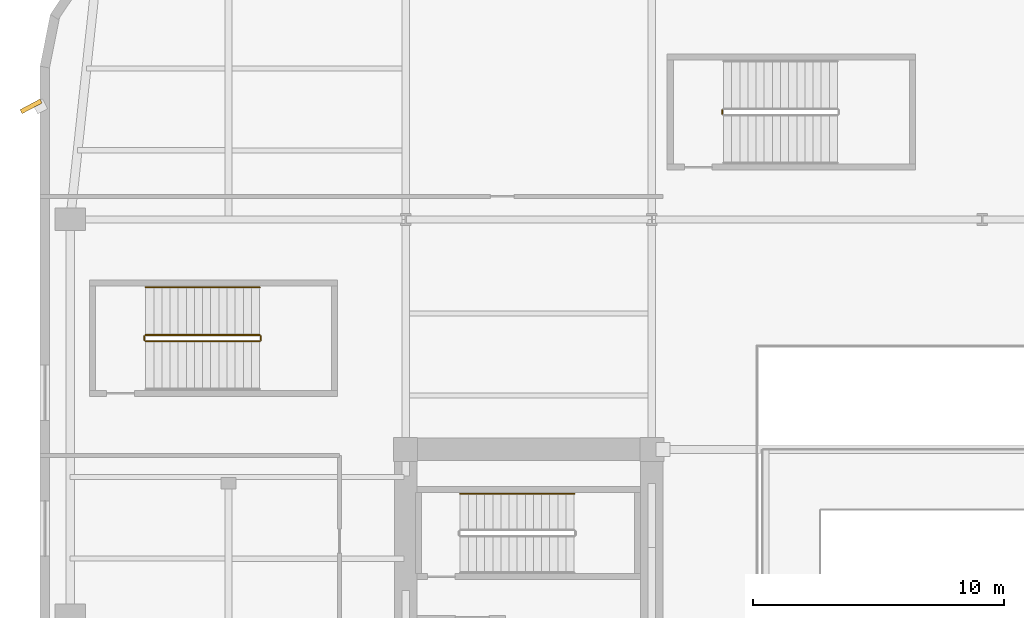
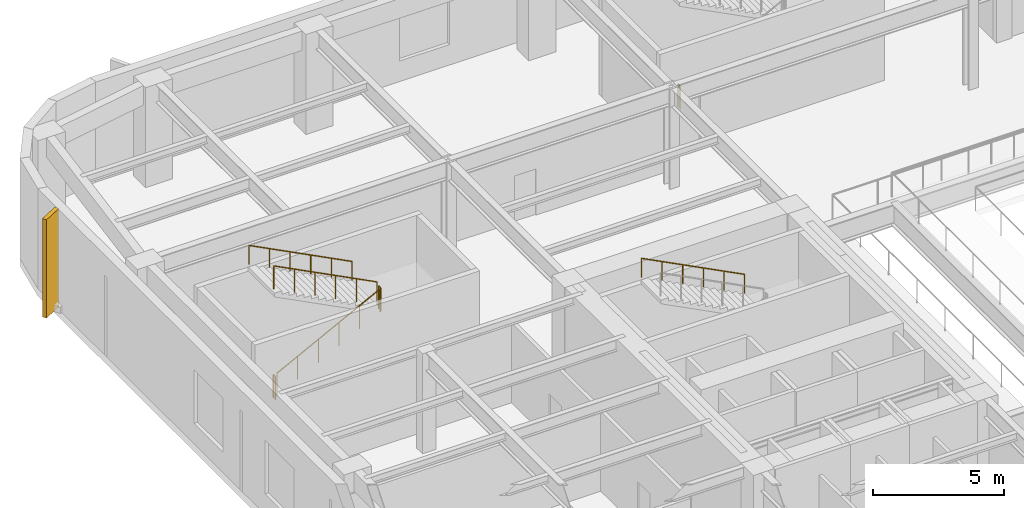
# One storey, part 18 of 22: 7 railings, 1 shading device.
"""IFC4 building model written with IfcOpenShell, lengths in metres."""

from ifc_helpers import new_model, si_unit, direction, frame, origin, origin_2d, place, context, subcontext, project, spatial, rectangle, circle, extrude, material, type_object, element, save


model = new_model("IFC4")

# Units and contexts
model_context = context("Model", 3, precision=1e-05, world=origin(), true_north=direction((0.0, 1.0)))
body_context = subcontext(model_context, "Body", "Model", "MODEL_VIEW")
ifc_project = project(units=[si_unit("LENGTHUNIT", "METRE"), si_unit("AREAUNIT", "SQUARE_METRE"), si_unit("VOLUMEUNIT", "CUBIC_METRE"), si_unit("PLANEANGLEUNIT", "RADIAN"), si_unit("MASSUNIT", "GRAM", prefix="KILO")], contexts=[model_context])

# Site, building, storey
site_placement = place(None, origin())
site = spatial("IfcSite", under=ifc_project, at=site_placement, CompositionType="ELEMENT")
building_placement = place(site_placement, origin())
building = spatial("IfcBuilding", under=site, at=building_placement, Name="Kolvaren Arena Tower", CompositionType="ELEMENT")
storey_placement = place(building_placement, frame((0.0, 0.0, 13.0)))
storey = spatial("IfcBuildingStorey", under=building, at=storey_placement, Name="L02", CompositionType="ELEMENT", Elevation=13.0)

# Railings
ifc_material_1 = material(Name="Painted galvanized steel", Category="steel")
railing_type_1 = type_object("IfcRailingType", Name="GUARD-ST-110", PredefinedType="GUARDRAIL", material=ifc_material_1)
railing_1_placement = place(storey_placement, frame((4.199951171875, 38.14990234375, 0.166748046875)))
element("IfcRailing", 1, at=railing_1_placement, inside=storey, type_object=railing_type_1, Name="L02 ST-A5 stair guard 1", PredefinedType="GUARDRAIL", context=body_context, shape_type="SweptSolid", body=[
    extrude(circle(Radius=0.02392578125, at=origin_2d()), frame((0.0, 0.0, 1.076171875), z_axis=(0.889257211316, 0.0, 0.457407490234), x_axis=(0.0, 1.0, 0.0)), (0.0, 0.0, 1.0), 5.10107421875),
    extrude(circle(Radius=0.02099609375, at=origin_2d()), origin(), (0.0, 0.0, 1.0), 1.052001953125),
    extrude(circle(Radius=0.02099609375, at=origin_2d()), frame((0.9072265625, 0.0, 0.466552734375)), (0.0, 0.0, 1.0), 1.052001953125),
    extrude(circle(Radius=0.02099609375, at=origin_2d()), frame((1.814453125, 0.0, 0.933349609375)), (0.0, 0.0, 1.0), 1.052001953125),
    extrude(circle(Radius=0.02099609375, at=origin_2d()), frame((2.7216796875, 0.0, 1.39990234375)), (0.0, 0.0, 1.0), 1.052001953125),
    extrude(circle(Radius=0.02099609375, at=origin_2d()), frame((3.62890625, 0.0, 1.86669921875)), (0.0, 0.0, 1.0), 1.052001953125),
    extrude(circle(Radius=0.02099609375, at=origin_2d()), frame((4.5361328125, 0.0, 2.333251953125)), (0.0, 0.0, 1.0), 1.052001953125),
])
railing_2_placement = place(storey_placement, frame((8.785888671875, 38.199951171875, 2.5)))
element("IfcRailing", 2, at=railing_2_placement, inside=storey, type_object=railing_type_1, Name="L02 ST-A5 stair guard 2", PredefinedType="GUARDRAIL", context=body_context, shape_type="SweptSolid", body=[
    extrude(circle(Radius=0.02392578125, at=origin_2d()), frame((0.0, 0.0, 1.076171875), z_axis=(0.0, 1.0, 0.0), x_axis=(-1.0, 0.0, 0.0)), (0.0, 0.0, 1.0), 0.150146484375),
    extrude(circle(Radius=0.02099609375, at=origin_2d()), origin(), (0.0, 0.0, 1.0), 1.052001953125),
    extrude(circle(Radius=0.02099609375, at=origin_2d()), frame((0.0, 0.150146484375, 0.0)), (0.0, 0.0, 1.0), 1.052001953125),
])
railing_3_placement = place(storey_placement, frame((8.736083984375, 38.39990234375, 2.666748046875)))
element("IfcRailing", 3, at=railing_3_placement, inside=storey, type_object=railing_type_1, Name="L02 ST-A5 stair guard 3", PredefinedType="GUARDRAIL", context=body_context, shape_type="SweptSolid", body=[
    extrude(circle(Radius=0.02392578125, at=origin_2d()), frame((0.0, 0.0, 1.076171875), z_axis=(-0.889257211316, 0.0, 0.457407490234), x_axis=(0.0, -1.0, 0.0)), (0.0, 0.0, 1.0), 5.10107421875),
    extrude(circle(Radius=0.02099609375, at=origin_2d()), origin(), (0.0, 0.0, 1.0), 1.052001953125),
    extrude(circle(Radius=0.02099609375, at=origin_2d()), frame((-0.9072265625, 0.0, 0.466552734375)), (0.0, 0.0, 1.0), 1.052001953125),
    extrude(circle(Radius=0.02099609375, at=origin_2d()), frame((-1.814453125, 0.0, 0.933349609375)), (0.0, 0.0, 1.0), 1.052001953125),
    extrude(circle(Radius=0.02099609375, at=origin_2d()), frame((-2.7216796875, 0.0, 1.39990234375)), (0.0, 0.0, 1.0), 1.052001953125),
    extrude(circle(Radius=0.02099609375, at=origin_2d()), frame((-3.62890625, 0.0, 1.86669921875)), (0.0, 0.0, 1.0), 1.052001953125),
    extrude(circle(Radius=0.02099609375, at=origin_2d()), frame((-4.5361328125, 0.0, 2.333251953125)), (0.0, 0.0, 1.0), 1.052001953125),
])
for number, where, name in (
    (4, (4.14990234375, 38.199951171875, 0.0), "L02 ST-A5 stair guard 4"),
    (5, (27.14990234375, 47.199951171875, 0.0), "L02 ST-A6 stair guard 4"),
):
    element("IfcRailing", number, at=place(storey_placement, frame(where)), inside=storey, type_object=railing_type_1, Name=name, PredefinedType="GUARDRAIL", context=body_context, shape_type="SweptSolid", body=[
        extrude(circle(Radius=0.02392578125, at=origin_2d()), frame((0.0, 0.0, 1.076171875), z_axis=(0.0, 1.0, 0.0), x_axis=(-1.0, 0.0, 0.0)), (0.0, 0.0, 1.0), 0.150146484375),
        extrude(circle(Radius=0.02099609375, at=origin_2d()), origin(), (0.0, 0.0, 1.0), 1.052001953125),
        extrude(circle(Radius=0.02099609375, at=origin_2d()), frame((0.0, 0.150146484375, 0.0)), (0.0, 0.0, 1.0), 1.052001953125),
    ])
ifc_material_2 = material(Name="Brushed stainless steel handrail", Category="steel")
railing_type_2 = type_object("IfcRailingType", Name="HRAIL-900", PredefinedType="HANDRAIL", material=ifc_material_2)
for number, where, name in (
    (6, (21.256103515625, 32.080078125, 2.666748046875), "L02 ST-W1 stair handrail 2"),
    (7, (8.736083984375, 40.300048828125, 2.666748046875), "L02 ST-A5 stair handrail 2"),
):
    element("IfcRailing", number, at=place(storey_placement, frame(where)), inside=storey, type_object=railing_type_2, Name=name, PredefinedType="HANDRAIL", context=body_context, shape_type="SweptSolid", body=[
        extrude(circle(Radius=0.02392578125, at=origin_2d()), frame((0.0, 0.0, 0.8759765625), z_axis=(-0.889257211316, 0.0, 0.457407490234), x_axis=(0.0, -1.0, 0.0)), (0.0, 0.0, 1.0), 5.10107421875),
        extrude(circle(Radius=0.02099609375, at=origin_2d()), origin(), (0.0, 0.0, 1.0), 0.851806640625),
        extrude(circle(Radius=0.02099609375, at=origin_2d()), frame((-0.9072265625, 0.0, 0.466552734375)), (0.0, 0.0, 1.0), 0.851806640625),
        extrude(circle(Radius=0.02099609375, at=origin_2d()), frame((-1.814453125, 0.0, 0.933349609375)), (0.0, 0.0, 1.0), 0.851806640625),
        extrude(circle(Radius=0.02099609375, at=origin_2d()), frame((-2.7216796875, 0.0, 1.39990234375)), (0.0, 0.0, 1.0), 0.851806640625),
        extrude(circle(Radius=0.02099609375, at=origin_2d()), frame((-3.62890625, 0.0, 1.86669921875)), (0.0, 0.0, 1.0), 0.851806640625),
        extrude(circle(Radius=0.02099609375, at=origin_2d()), frame((-4.5361328125, 0.0, 2.333251953125)), (0.0, 0.0, 1.0), 0.851806640625),
    ])

# Shading device
ifc_material_3 = material(Name="Precast architectural concrete C50/60 rib fin", Category="concrete")
shading_device_type = type_object("IfcShadingDeviceType", Name="SHAD-FIN-28", PredefinedType="USERDEFINED", material=ifc_material_3)
shading_device_placement = place(storey_placement, frame((-0.360107421875, 47.5, 0.02001953125), z_axis=(0.0, 0.0, 1.0), x_axis=(-0.882947592859, -0.469471562786, 0.0)))
element("IfcShadingDevice", 8, at=shading_device_placement, inside=storey, type_object=shading_device_type, Name="Arena Podium 28-Deg Precast Fin (L02)", ObjectType="FIN", PredefinedType="USERDEFINED", context=body_context, shape_type="SweptSolid", body=[
    extrude(rectangle(XDim=0.89990234375, YDim=0.179931640625, at=origin_2d()), origin(), (0.0, 0.0, 1.0), 4.570068359375),
])

save(model, "model.ifc")
